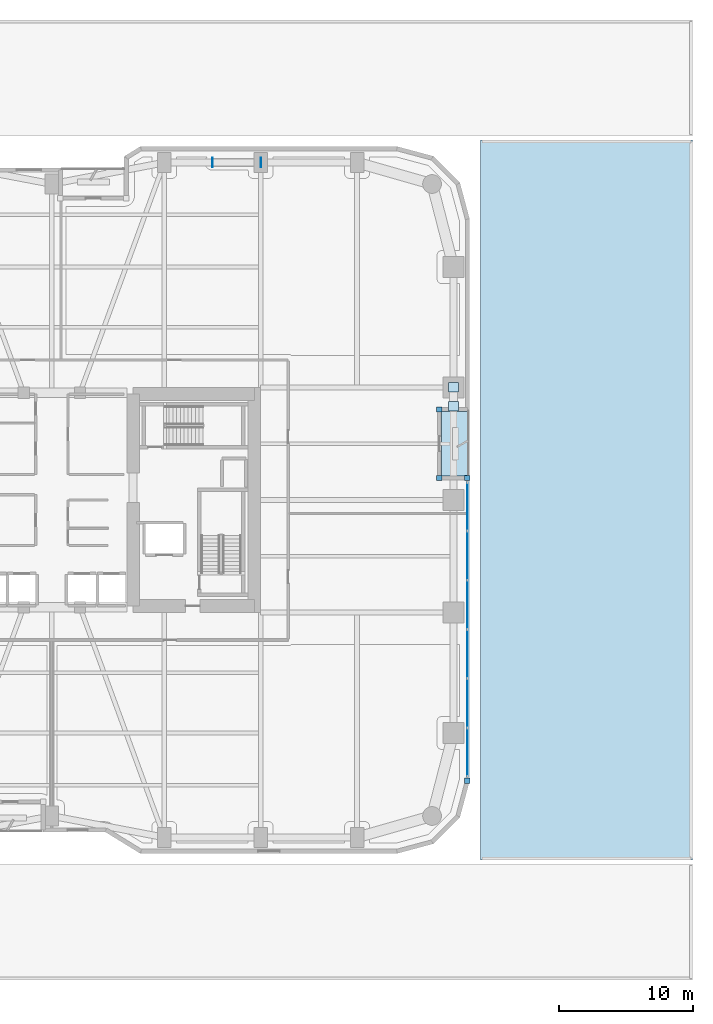
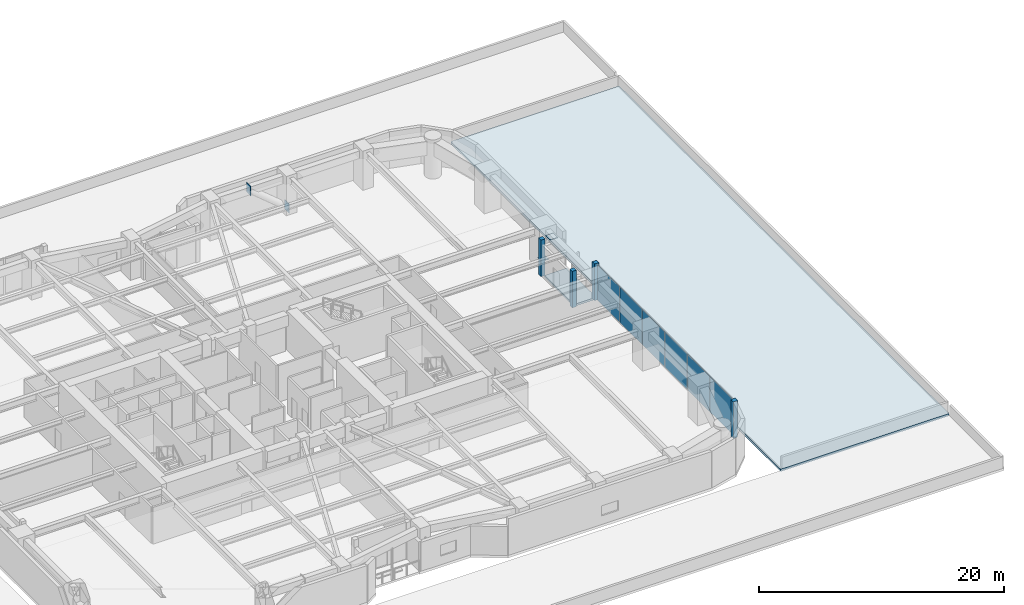
# One storey, part 24 of 38: 14 plates, 2 slabs, 1 element without a shape of its own.
"""IFC4 building model written with IfcOpenShell, lengths in metres."""

from ifc_helpers import new_model, si_unit, direction, frame, origin, origin_2d, place, context, subcontext, project, spatial, polyline, rectangle, outline, extrude, material, layer, layer_set, type_object, element, aggregate, save


model = new_model("IFC4")

# Units and contexts
model_context = context("Model", 3, precision=1e-05, world=origin(), true_north=direction((0.0, 1.0)))
body_context = subcontext(model_context, "Body", "Model", "MODEL_VIEW")
ifc_project = project(units=[si_unit("LENGTHUNIT", "METRE"), si_unit("AREAUNIT", "SQUARE_METRE"), si_unit("VOLUMEUNIT", "CUBIC_METRE"), si_unit("PLANEANGLEUNIT", "RADIAN"), si_unit("MASSUNIT", "GRAM", prefix="KILO")], contexts=[model_context])

# Site, building, storey
site_placement = place(None, origin())
site = spatial("IfcSite", under=ifc_project, at=site_placement, CompositionType="ELEMENT")
building_placement = place(site_placement, origin())
building = spatial("IfcBuilding", under=site, at=building_placement, Name="Kiyonajd Concourse Tower", CompositionType="ELEMENT")
storey_placement = place(building_placement, frame((0.0, 0.0, 21.60009765625)))
storey = spatial("IfcBuildingStorey", under=building, at=storey_placement, Name="L06", CompositionType="ELEMENT", Elevation=21.60009765625)

# Plates
ifc_material_1 = material(Name="Steel ASTM A572 Grade 50", Category="steel")
ifc_layer_1 = layer(ifc_material_1, 0.028076171875)
ifc_layer_set_1 = layer_set([ifc_layer_1], Name="Steel ASTM A572 Grade 50")
plate_type_1 = type_object("IfcPlateType", Name="PL-CAP-450", PredefinedType="USERDEFINED", material=ifc_layer_set_1)
for number, where, z_axis, x_axis, name in (
    (1, (63.6083984375, 61.199951171875, -0.173583984375), (0.0, 0.0, 1.0), (1.0, 0.0, 0.0), "L06 Hollow Brace End Cap Plate PBN"),
    (2, (59.991455078125, 61.199951171875, 2.830322265625), (0.0, 0.0, 1.0), (-1.0, 0.0, 0.0), "L06 Hollow Brace Top Cap Plate PBN"),
):
    element("IfcPlate", number, at=place(storey_placement, frame(where, z_axis=z_axis, x_axis=x_axis)), inside=storey, type_object=plate_type_1, Name=name, ObjectType="CAP PLATE", PredefinedType="USERDEFINED", context=body_context, shape_type="SweptSolid", body=[
        extrude(rectangle(XDim=0.035888671875, YDim=0.72998046875, at=origin_2d()), origin(), (0.0, 0.0, 1.0), 0.93310546875),
    ])
for number, where, z_axis, x_axis, name in (
    (3, (78.0, 44.40478515625, 0.27587890625), (0.0, 0.0, 1.0), (1.0, 0.0, 0.0), "L06 Hollow Brace End Cap Plate PBE"),
    (4, (78.0, 42.995361328125, 3.28564453125), (0.0, 0.0, 1.0), (1.0, 0.0, 0.0), "L06 Hollow Brace Top Cap Plate PBE"),
):
    element("IfcPlate", number, at=place(storey_placement, frame(where, z_axis=z_axis, x_axis=x_axis)), inside=storey, type_object=plate_type_1, Name=name, ObjectType="CAP PLATE", PredefinedType="USERDEFINED", context=body_context, shape_type="SweptSolid", body=[
        extrude(rectangle(XDim=0.7099609375, YDim=0.7099609375, at=origin_2d()), origin(), (0.0, 0.0, 1.0), 0.028076171875),
    ])

# Curtain wall, plates
ifc_material_2 = material(Name="Thermally Broken Anodised Aluminium", Category="aluminium")
ifc_layer_2 = layer(ifc_material_2, 0.179931640625)
ifc_layer_set_2 = layer_set([ifc_layer_2], Name="Thermally Broken Anodised Aluminium")
curtain_wall_type = type_object("IfcCurtainWallType", Name="CW-SYS-02", PredefinedType="NOTDEFINED", material=ifc_layer_set_2)
curtain_wall_placement = place(storey_placement, origin())
curtain_wall = element("IfcCurtainWall", 5, at=curtain_wall_placement, inside=storey, type_object=curtain_wall_type, Name="L06 Unitised Curtain Wall CW2", PredefinedType="NOTDEFINED")
ifc_material_3 = material(Name="Double Low-E Insulated Glass", Category="glass")
ifc_layer_3 = layer(ifc_material_3, 0.028076171875)
ifc_layer_set_3 = layer_set([ifc_layer_3], Name="Double Low-E Insulated Glass")
plate_type_2 = type_object("IfcPlateType", Name="PL-CW-VIS28", PredefinedType="CURTAIN_PANEL", material=ifc_layer_set_3)
plate_1_placement = place(storey_placement, frame((79.0400390625, 35.4970703125, 0.06494140625), z_axis=(0.0, 0.0, 1.0), x_axis=(0.0, -1.0, 0.0)))
plate_1 = element("IfcPlate", 6, at=plate_1_placement, type_object=plate_type_2, Name="CW2 panel 1.1", PredefinedType="CURTAIN_PANEL", context=body_context, shape_type="SweptSolid", body=[
    extrude(rectangle(XDim=3.57568359375, YDim=0.028076171875, at=origin_2d()), origin(), (0.0, 0.0, 1.0), 3.510009765625),
])
plate_2_placement = place(storey_placement, frame((79.0400390625, 31.84033203125, 0.06494140625), z_axis=(0.0, 0.0, 1.0), x_axis=(0.0, -1.0, 0.0)))
plate_2 = element("IfcPlate", 7, at=plate_2_placement, type_object=plate_type_2, Name="CW2 panel 2.1", PredefinedType="CURTAIN_PANEL", context=body_context, shape_type="SweptSolid", body=[
    extrude(rectangle(XDim=3.608154296875, YDim=0.028076171875, at=origin_2d()), origin(), (0.0, 0.0, 1.0), 3.510009765625),
])
plate_3_placement = place(storey_placement, frame((79.0400390625, 28.167236328125, 0.06494140625), z_axis=(0.0, 0.0, 1.0), x_axis=(0.0, -1.0, 0.0)))
plate_3 = element("IfcPlate", 8, at=plate_3_placement, type_object=plate_type_2, Name="CW2 panel 3.1", PredefinedType="CURTAIN_PANEL", context=body_context, shape_type="SweptSolid", body=[
    extrude(rectangle(XDim=3.608154296875, YDim=0.028076171875, at=origin_2d()), origin(), (0.0, 0.0, 1.0), 3.510009765625),
])
plate_4_placement = place(storey_placement, frame((79.0400390625, 24.493896484375, 0.06494140625), z_axis=(0.0, 0.0, 1.0), x_axis=(0.0, -1.0, 0.0)))
plate_4 = element("IfcPlate", 9, at=plate_4_placement, type_object=plate_type_2, Name="CW2 panel 4.1", PredefinedType="CURTAIN_PANEL", context=body_context, shape_type="SweptSolid", body=[
    extrude(rectangle(XDim=3.608154296875, YDim=0.028076171875, at=origin_2d()), origin(), (0.0, 0.0, 1.0), 3.510009765625),
])
plate_5_placement = place(storey_placement, frame((79.0400390625, 20.82080078125, 0.06494140625), z_axis=(0.0, 0.0, 1.0), x_axis=(0.0, -1.0, 0.0)))
plate_5 = element("IfcPlate", 10, at=plate_5_placement, type_object=plate_type_2, Name="CW2 panel 5.1", PredefinedType="CURTAIN_PANEL", context=body_context, shape_type="SweptSolid", body=[
    extrude(rectangle(XDim=3.608154296875, YDim=0.028076171875, at=origin_2d()), origin(), (0.0, 0.0, 1.0), 3.510009765625),
])
plate_6_placement = place(storey_placement, frame((79.0400390625, 17.163818359375, 0.06494140625), z_axis=(0.0, 0.0, 1.0), x_axis=(0.0, -1.0, 0.0)))
plate_6 = element("IfcPlate", 11, at=plate_6_placement, type_object=plate_type_2, Name="CW2 panel 6.1", PredefinedType="CURTAIN_PANEL", context=body_context, shape_type="SweptSolid", body=[
    extrude(rectangle(XDim=3.57568359375, YDim=0.028076171875, at=origin_2d()), origin(), (0.0, 0.0, 1.0), 3.510009765625),
])
aggregate(curtain_wall, [plate_1, plate_2, plate_3, plate_4, plate_5, plate_6])

# Plates
ifc_layer_4 = layer(ifc_material_2, 0.39990234375)
ifc_layer_set_4 = layer_set([ifc_layer_4], Name="Thermally Broken Anodised Aluminium")
plate_type_3 = type_object("IfcPlateType", Name="PL-JMB-400", PredefinedType="USERDEFINED", material=ifc_layer_set_4)
for number, where, z_axis, x_axis, name in (
    (12, (76.93994140625, 42.760009765625, 0.0), (0.0, 0.0, 1.0), (1.0, 0.0, 0.0), "L06 Facade Jamb Closure Plate 09"),
    (13, (76.93994140625, 37.639892578125, 0.0), (0.0, 0.0, 1.0), (1.0, 0.0, 0.0), "L06 Facade Jamb Closure Plate 10"),
    (14, (79.0400390625, 37.639892578125, 0.0), (0.0, 0.0, 1.0), (1.0, 0.0, 0.0), "L06 Facade Jamb Closure Plate 11"),
    (15, (79.0400390625, 15.02099609375, 0.0), (0.0, 0.0, 1.0), (1.0, 0.0, 0.0), "L06 Facade Jamb Closure Plate 12"),
):
    element("IfcPlate", number, at=place(storey_placement, frame(where, z_axis=z_axis, x_axis=x_axis)), inside=storey, type_object=plate_type_3, Name=name, ObjectType="JAMB PLATE", PredefinedType="USERDEFINED", context=body_context, shape_type="SweptSolid", body=[
        extrude(rectangle(XDim=0.39990234375, YDim=0.39990234375, at=origin_2d()), origin(), (0.0, 0.0, 1.0), 3.639892578125),
    ])

# Slabs
ifc_material_4 = material(Name="Precast concrete C50/60", Category="concrete")
ifc_layer_5 = layer(ifc_material_4, 0.199951171875)
ifc_layer_set_5 = layer_set([ifc_layer_5], Name="Precast concrete C50/60")
slab_type_1 = type_object("IfcSlabType", Name="SL-LOG-200", PredefinedType="FLOOR", material=ifc_layer_set_5)
slab_1_placement = place(storey_placement, frame((0.0, 0.0, -0.2001953125)))
element("IfcSlab", 16, at=slab_1_placement, inside=storey, type_object=slab_type_1, Name="L06 Recessed Engawa Loggia Terrace Slab LOG-E", PredefinedType="FLOOR", context=body_context, shape_type="SweptSolid", body=[
    extrude(outline(polyline([(77.10009765625, 37.800048828125), (79.199951171875, 37.800048828125), (79.199951171875, 42.60009765625), (77.10009765625, 42.60009765625), (77.10009765625, 37.800048828125)])), origin(), (0.0, 0.0, 1.0), 0.2001953125),
])
ifc_material_5 = material(Name="Concrete C40/50", Category="concrete")
ifc_layer_6 = layer(ifc_material_5, 0.239990234375)
ifc_layer_set_6 = layer_set([ifc_layer_6], Name="Concrete C40/50")
slab_type_2 = type_object("IfcSlabType", Name="SL-TERR-240", PredefinedType="ROOF", material=ifc_layer_set_6)
slab_2_placement = place(storey_placement, frame((0.0, 0.0, -0.239990234375)))
element("IfcSlab", 17, at=slab_2_placement, inside=storey, type_object=slab_type_2, Name="L06 Setback Maintenance Roof Slab 4", PredefinedType="ROOF", context=body_context, shape_type="SweptSolid", body=[
    extrude(outline(polyline([(95.85009765625, 9.10009765625), (80.0, 9.10009765625), (80.0, 62.89990234375), (95.85009765625, 62.89990234375), (95.85009765625, 9.10009765625)])), origin(), (0.0, 0.0, 1.0), 0.239990234375),
])

save(model, "model.ifc")
